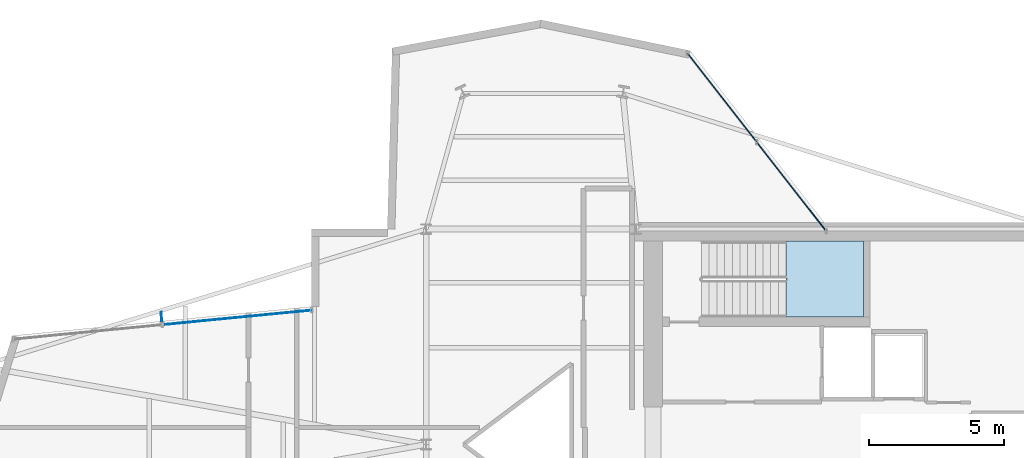
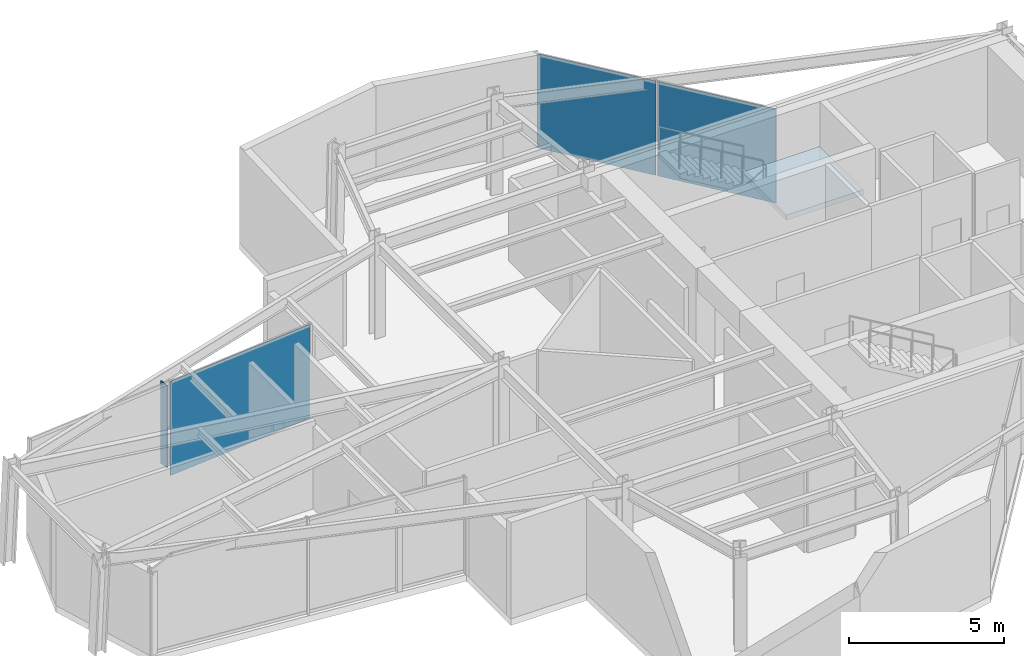
# One storey, part 16 of 20: 4 plates, 1 slab, 3 elements without a shape of their own.
"""IFC4 building model written with IfcOpenShell, lengths in metres."""

import ifcopenshell
import ifcopenshell.guid

model = None  # the IFC model being written
_history = None  # IfcOwnerHistory: only IFC2X3 demands one
_inside = {}  # id of a spatial element -> (the spatial element, [elements in it])
_under = {}  # id of a project, library or spatial element -> (it, [spatial elements below it])
_declared = {}  # id of a project -> (the project, [libraries it declares])
_typed = {}  # id of a type object -> (the type object, [elements of that type])
_made_of = {}  # id of a material, layer set ... -> (it, [elements and type objects made of it])


def new_model(schema):
    """Start an empty IFC model of exactly this schema.

    Asked for "IFC4X3", IfcOpenShell would pick the latest addendum, in which some entities
    have other attributes; the version numbers below select the first issue.
    IFC2X3 requires an IfcOwnerHistory on every rooted entity: one is made here for all.
    """
    global model, _history
    if schema == "IFC4X3":
        model = ifcopenshell.file(schema_version=(4, 3, 0, 0))
    else:
        model = ifcopenshell.file(schema=schema)
    _inside.clear()
    _under.clear()
    _declared.clear()
    _typed.clear()
    _made_of.clear()
    _history = None
    if model.schema == "IFC2X3":
        org = make("IfcOrganization", Name="unknown")
        user = make(
            "IfcPersonAndOrganization",
            ThePerson=make("IfcPerson", FamilyName="unknown"),
            TheOrganization=org,
        )
        app = make(
            "IfcApplication",
            ApplicationDeveloper=org,
            Version="unknown",
            ApplicationFullName="unknown",
            ApplicationIdentifier="unknown",
        )
        _history = make(
            "IfcOwnerHistory",
            OwningUser=user,
            OwningApplication=app,
            ChangeAction="ADDED",
            CreationDate=0,
        )
    return model


def make(cls, **values):
    """One entity of the class cls with the attributes given. An attribute that is None is left unset."""
    return model.create_entity(
        cls, **{name: value for name, value in values.items() if value is not None}
    )


def rooted(cls, **values):
    """An entity with a GlobalId (a new one), such as an element, a storey or a relation."""
    return make(cls, GlobalId=ifcopenshell.guid.new(), OwnerHistory=_history, **values)


def si_unit(unit_type, name, prefix=None):
    """IfcSIUnit, for example si_unit("LENGTHUNIT", "METRE", prefix="MILLI")."""
    return make("IfcSIUnit", UnitType=unit_type, Prefix=prefix, Name=name)


def assignment(units):
    """IfcUnitAssignment: the units of a project."""
    return None if units is None else make("IfcUnitAssignment", Units=units)


def point(xyz):
    """IfcCartesianPoint."""
    return None if xyz is None else make("IfcCartesianPoint", Coordinates=xyz)


def direction(xyz):
    """IfcDirection."""
    return None if xyz is None else make("IfcDirection", DirectionRatios=xyz)


def frame(location, z_axis=None, x_axis=None):
    """IfcAxis2Placement3D, a coordinate frame: its origin and axes. An axis left out is left unset."""
    return make(
        "IfcAxis2Placement3D",
        Location=point(location),
        Axis=direction(z_axis),
        RefDirection=direction(x_axis),
    )


def frame_2d(location, x_axis=None):
    """IfcAxis2Placement2D, a coordinate frame in the plane: its origin and x axis."""
    return make(
        "IfcAxis2Placement2D", Location=point(location), RefDirection=direction(x_axis)
    )


def origin():
    """The frame at (0, 0, 0) with its axes left unset."""
    return frame((0.0, 0.0, 0.0))


def origin_2d():
    """The frame at (0, 0) in the plane with its x axis left unset."""
    return frame_2d((0.0, 0.0))


def place(relative_to, where):
    """IfcLocalPlacement: puts the frame where relative to a parent placement (None: the world)."""
    return make(
        "IfcLocalPlacement", PlacementRelTo=relative_to, RelativePlacement=where
    )


def context(
    kind, dimensions, precision=None, world=None, true_north=None, identifier=None
):
    """IfcGeometricRepresentationContext, for example the 3D "Model" context."""
    return make(
        "IfcGeometricRepresentationContext",
        ContextIdentifier=identifier,
        ContextType=kind,
        CoordinateSpaceDimension=dimensions,
        Precision=precision,
        WorldCoordinateSystem=world,
        TrueNorth=true_north,
    )


def subcontext(parent, identifier, kind, view, scale=None):
    """IfcGeometricRepresentationSubContext, for example "Body" below "Model"."""
    return make(
        "IfcGeometricRepresentationSubContext",
        ContextIdentifier=identifier,
        ContextType=kind,
        ParentContext=parent,
        TargetScale=scale,
        TargetView=view,
    )


def project(units=None, contexts=None):
    """IfcProject with its units and contexts."""
    return rooted(
        "IfcProject",
        Name="project",
        RepresentationContexts=contexts,
        UnitsInContext=assignment(units),
    )


def spatial(cls, under=None, at=None, **own):
    """A site, building, storey or space (cls), placed at a placement, below another one or the project."""
    s = rooted(cls, ObjectPlacement=at, **own)
    if under is not None:
        _under.setdefault(under.id(), (under, []))[1].append(s)
    return s


def polyline(points):
    """IfcPolyline through the points."""
    return make("IfcPolyline", Points=[point(p) for p in points])


def profile(cls, at=None, kind="AREA", **sizes):
    """A parametric profile (cls). Its sizes go by their IFC names, for example OverallWidth=200.0."""
    return make(cls, ProfileType=kind, Position=at, **sizes)


def rectangle(**sizes):
    """IfcRectangleProfileDef."""
    return profile("IfcRectangleProfileDef", **sizes)


def outline(outer, holes=None, kind="AREA"):
    """IfcArbitraryClosedProfileDef: a profile drawn as a closed curve; with holes, ...WithVoids."""
    if holes is None:
        return make("IfcArbitraryClosedProfileDef", ProfileType=kind, OuterCurve=outer)
    return make(
        "IfcArbitraryProfileDefWithVoids",
        ProfileType=kind,
        OuterCurve=outer,
        InnerCurves=holes,
    )


def extrude(swept, where, along, depth):
    """IfcExtrudedAreaSolid: the profile swept, set in the frame where, extruded along a direction by depth."""
    return make(
        "IfcExtrudedAreaSolid",
        SweptArea=swept,
        Position=where,
        ExtrudedDirection=direction(along),
        Depth=depth,
    )


def shape(context_of_items, identifier, shape_type, items):
    """IfcShapeRepresentation: the items that make up one representation, for example the "Body"."""
    return make(
        "IfcShapeRepresentation",
        ContextOfItems=context_of_items,
        RepresentationIdentifier=identifier,
        RepresentationType=shape_type,
        Items=items,
    )


def material(Name=None, Category=None):
    """IfcMaterial."""
    return make("IfcMaterial", Name=Name, Category=Category)


def layer(
    of_material, thickness, ventilated=None, Name=None, Category=None, Priority=None
):
    """IfcMaterialLayer: one layer of a wall or slab, of a material (None: an air gap)."""
    return make(
        "IfcMaterialLayer",
        Material=of_material,
        LayerThickness=thickness,
        IsVentilated=ventilated,
        Name=Name,
        Category=Category,
        Priority=Priority,
    )


def layer_set(layers, Name=None):
    """IfcMaterialLayerSet."""
    return make("IfcMaterialLayerSet", MaterialLayers=layers, LayerSetName=Name)


def made_of(thing, what):
    """Note that an element or type object is made of a material, layer set ...; save() writes the relation."""
    if what is not None:
        _made_of.setdefault(what.id(), (what, []))[1].append(thing)
    return thing


def type_object(cls, material=None, **own):
    """A type object (cls), such as IfcWallType, which elements share."""
    return made_of(rooted(cls, **own), material)


def element(
    cls,
    number,
    at=None,
    inside=None,
    cuts=None,
    type_object=None,
    material=None,
    context=None,
    identifier="Body",
    shape_type=None,
    held_by="IfcProductDefinitionShape",
    body=None,
    shapes=None,
    **own,
):
    """One element of the class cls, such as IfcWall. Its Tag is "e" and its number.

    at: its placement. inside: the storey or other place that contains it. cuts: it is an
    opening in that element (IfcRelVoidsElement). A single representation is given by context,
    identifier, shape_type and body (its items); several are given by shapes. held_by: the class
    of the entity that holds the representations. save() writes the other relations.
    """
    e = rooted(cls, Tag="e%d" % number, ObjectPlacement=at, **own)
    if body is not None:
        shapes = [shape(context, identifier, shape_type, body)]
    if shapes is not None:
        e.Representation = make(held_by, Representations=shapes)
    if inside is not None:
        _inside.setdefault(inside.id(), (inside, []))[1].append(e)
    if cuts is not None:
        rooted(
            "IfcRelVoidsElement", RelatingBuildingElement=cuts, RelatedOpeningElement=e
        )
    if type_object is not None:
        _typed.setdefault(type_object.id(), (type_object, []))[1].append(e)
    return made_of(e, material)


def aggregate(whole, parts):
    """IfcRelAggregates: a whole, such as a stair, and the parts it consists of."""
    return rooted("IfcRelAggregates", RelatingObject=whole, RelatedObjects=parts)


def save(model, path):
    """Write the relations noted so far, then the file.

    IfcRelAggregates (storeys below a building ...), IfcRelContainedInSpatialStructure (elements
    in a storey), IfcRelDefinesByType, IfcRelAssociatesMaterial and IfcRelDeclares: one each for
    every whole, place, type object, material and project.
    """
    for whole, parts in _under.values():
        aggregate(whole, parts)
    for where, things in _inside.values():
        rooted(
            "IfcRelContainedInSpatialStructure",
            RelatedElements=things,
            RelatingStructure=where,
        )
    for kind, things in _typed.values():
        rooted("IfcRelDefinesByType", RelatedObjects=things, RelatingType=kind)
    for what, things in _made_of.values():
        rooted("IfcRelAssociatesMaterial", RelatedObjects=things, RelatingMaterial=what)
    for by, libraries in _declared.values():
        rooted("IfcRelDeclares", RelatingContext=by, RelatedDefinitions=libraries)
    model.write(path)


model = new_model("IFC4")

# Units and contexts
model_context = context("Model", 3, precision=1e-05, world=origin(), true_north=direction((0.0, 1.0)))
body_context = subcontext(model_context, "Body", "Model", "MODEL_VIEW")
ifc_project = project(units=[si_unit("LENGTHUNIT", "METRE"), si_unit("AREAUNIT", "SQUARE_METRE"), si_unit("VOLUMEUNIT", "CUBIC_METRE"), si_unit("PLANEANGLEUNIT", "RADIAN"), si_unit("MASSUNIT", "GRAM", prefix="KILO")], contexts=[model_context])

# Site, building, storey
site_placement = place(None, origin())
site = spatial("IfcSite", under=ifc_project, at=site_placement, CompositionType="ELEMENT")
building_placement = place(site_placement, origin())
building = spatial("IfcBuilding", under=site, at=building_placement, Name="Veymaron Broadcast Tower", CompositionType="ELEMENT")
storey_placement = place(building_placement, frame((0.0, 0.0, 248.550048828125)))
storey = spatial("IfcBuildingStorey", under=building, at=storey_placement, Name="L58", CompositionType="ELEMENT", Elevation=248.550048828125)

# Curtain wall, plates
ifc_material_1 = material(Name="Anodised aluminium AA 6063-T6 and laminated low-E dark glass", Category="aluminium")
ifc_layer_1 = layer(ifc_material_1, 0.179931640625)
ifc_layer_set_1 = layer_set([ifc_layer_1], Name="Anodised aluminium AA 6063-T6 and laminated low-E dark glass")
curtain_wall_type = type_object("IfcCurtainWallType", Name="CW-SYS-05", PredefinedType="NOTDEFINED", material=ifc_layer_set_1)
curtain_wall_1_placement = place(storey_placement, origin())
curtain_wall_1 = element("IfcCurtainWall", 1, at=curtain_wall_1_placement, inside=storey, type_object=curtain_wall_type, Name="L58 dark-glass curtain wall CW-L58-E5-1", PredefinedType="NOTDEFINED")
ifc_material_2 = material(Name="Double-silver solar-control dark glass IGU 32 mm", Category="glass")
ifc_layer_2 = layer(ifc_material_2, 0.031982421875)
ifc_layer_set_2 = layer_set([ifc_layer_2], Name="Double-silver solar-control dark glass IGU 32 mm")
plate_type_1 = type_object("IfcPlateType", Name="CW-PNL-02", PredefinedType="CURTAIN_PANEL", material=ifc_layer_set_2)
plate_1_placement = place(storey_placement, frame((44.772705078125, 33.569580078125, 0.0400390625), z_axis=(0.0, 0.0, 1.0), x_axis=(-0.615290065661, 0.788300789736, 0.0)))
plate_1 = element("IfcPlate", 2, at=plate_1_placement, type_object=plate_type_1, Name="CW-L58-E5-1 unitised curtain panel 0", PredefinedType="CURTAIN_PANEL", context=body_context, shape_type="SweptSolid", body=[
    extrude(rectangle(XDim=4.140869140625, YDim=0.031982421875, at=origin_2d()), origin(), (0.0, 0.0, 1.0), 3.7099609375),
])
plate_2_placement = place(storey_placement, frame((42.18798828125, 36.88134765625, 0.0400390625), z_axis=(0.0, 0.0, 1.0), x_axis=(-0.615290065661, 0.788300789736, 0.0)))
plate_2 = element("IfcPlate", 3, at=plate_2_placement, type_object=plate_type_1, Name="CW-L58-E5-1 unitised curtain panel 1", PredefinedType="CURTAIN_PANEL", context=body_context, shape_type="SweptSolid", body=[
    extrude(rectangle(XDim=4.140869140625, YDim=0.031982421875, at=origin_2d()), origin(), (0.0, 0.0, 1.0), 3.7099609375),
])
aggregate(curtain_wall_1, [plate_1, plate_2])

# Curtain wall, plate
curtain_wall_2_placement = place(storey_placement, origin())
curtain_wall_2 = element("IfcCurtainWall", 4, at=curtain_wall_2_placement, inside=storey, type_object=curtain_wall_type, Name="L58 dark-glass curtain wall CW-L58-E11-1", PredefinedType="NOTDEFINED")
plate_3_placement = place(storey_placement, frame((24.180419921875, 28.7138671875, 0.0400390625), z_axis=(0.0, 0.0, 1.0), x_axis=(-0.995288516672, -0.096957560721, 0.0)))
plate_3 = element("IfcPlate", 5, at=plate_3_placement, type_object=plate_type_1, Name="CW-L58-E11-1 unitised curtain panel 0", PredefinedType="CURTAIN_PANEL", context=body_context, shape_type="SweptSolid", body=[
    extrude(rectangle(XDim=5.517578125, YDim=0.031982421875, at=origin_2d()), origin(), (0.0, 0.0, 1.0), 3.7099609375),
])
aggregate(curtain_wall_2, [plate_3])

# Plate
ifc_material_3 = material(Name="Dark-anodised aluminium AA 6061-T6", Category="aluminium")
ifc_layer_3 = layer(ifc_material_3, 0.030029296875)
ifc_layer_set_3 = layer_set([ifc_layer_3], Name="Dark-anodised aluminium AA 6061-T6")
plate_type_2 = type_object("IfcPlateType", Name="FIN-CHEV-02", PredefinedType="USERDEFINED", material=ifc_layer_set_3)
plate_4_placement = place(storey_placement, frame((21.375244140625, 28.7470703125, 0.26513671875), z_axis=(0.0, 0.0, 1.0), x_axis=(-0.096957560721, 0.995288516672, 0.0)))
element("IfcPlate", 6, at=plate_4_placement, inside=storey, type_object=plate_type_2, Name="CW-L58-E11-1 chevron fin 1", ObjectType="FIN", PredefinedType="USERDEFINED", context=body_context, shape_type="SweptSolid", body=[
    extrude(rectangle(XDim=0.35009765625, YDim=0.034912109375, at=origin_2d()), origin(), (0.0, 0.0, 1.0), 3.259521484375),
])

# Stair, slab
ifc_material_4 = material(Name="Concrete C50/60", Category="concrete")
stair_type = type_object("IfcStairType", Name="STAIR-CORE-1", PredefinedType="HALF_TURN_STAIR", material=ifc_material_4)
stair_placement = place(storey_placement, origin())
stair = element("IfcStair", 7, at=stair_placement, inside=storey, type_object=stair_type, Name="L58 North protected dog-leg exit stair ST1", PredefinedType="HALF_TURN_STAIR")
ifc_layer_4 = layer(ifc_material_4, 0.199951171875)
ifc_layer_set_4 = layer_set([ifc_layer_4], Name="Concrete C50/60")
slab_type = type_object("IfcSlabType", Name="SLAB-STAIR-LDG", PredefinedType="LANDING", material=ifc_layer_set_4)
slab_placement = place(storey_placement, frame((0.0, 0.0, 1.824951171875)))
slab = element("IfcSlab", 8, at=slab_placement, type_object=slab_type, Name="ST1 landing 1", PredefinedType="LANDING", context=body_context, shape_type="SweptSolid", body=[
    extrude(outline(polyline([(44.56494140625, 28.72998046875), (47.43994140625, 28.72998046875), (47.43994140625, 31.550048828125), (44.56494140625, 31.550048828125), (44.56494140625, 28.72998046875)])), origin(), (0.0, 0.0, 1.0), 0.199951171875),
])
aggregate(stair, [slab])

save(model, "model.ifc")
